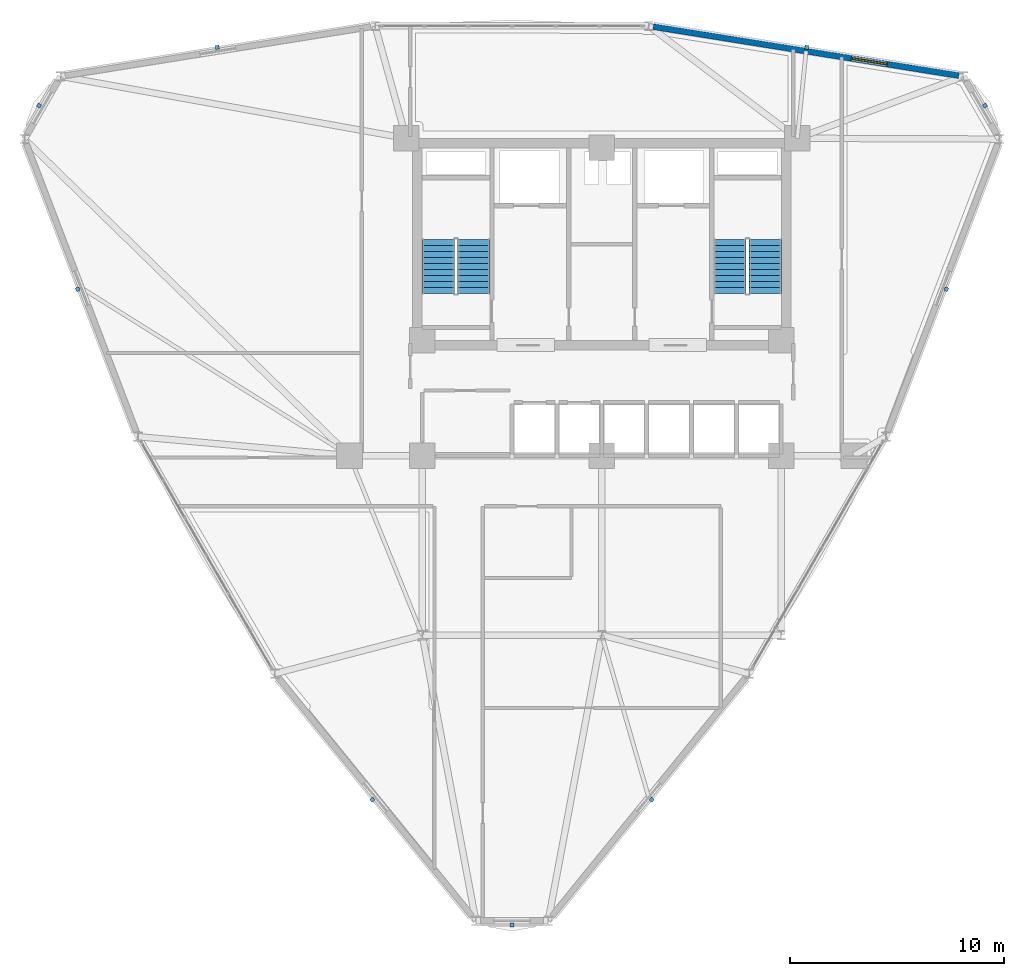
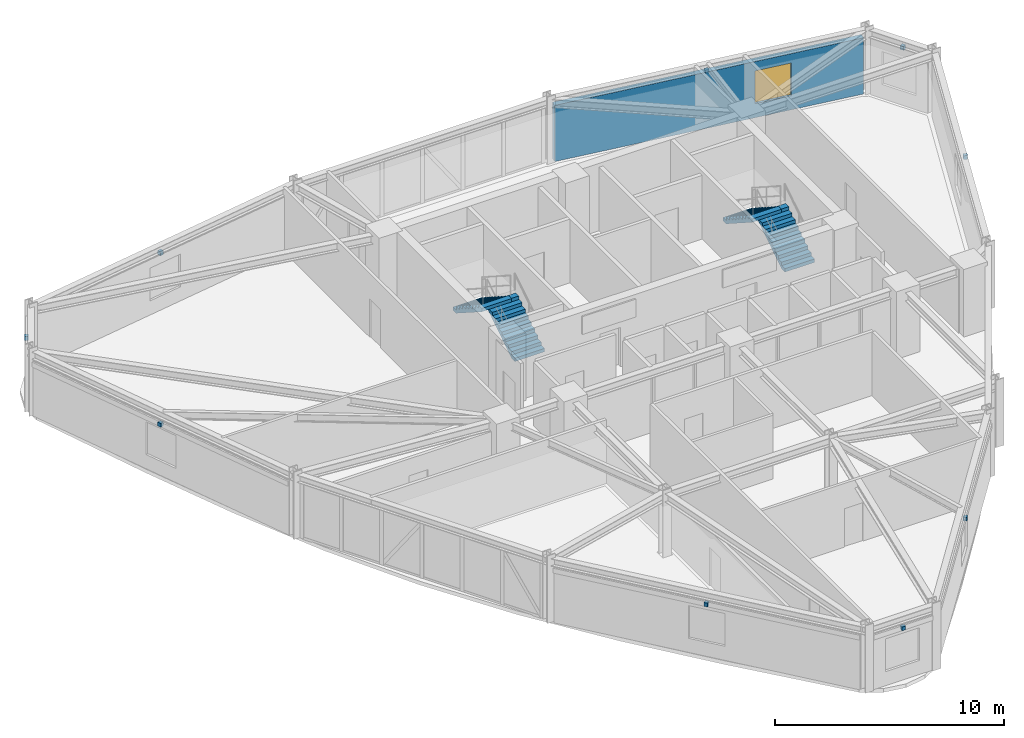
# One storey, part 12 of 15: 9 discrete accessories, 4 stair flights, 1 wall, 1 window, 1 opening, 2 elements without a shape of their own.
"""IFC4 building model written with IfcOpenShell, lengths in metres."""

from ifc_helpers import new_model, si_unit, derived_unit, direction, frame, frame_2d, origin, origin_2d, place, context, subcontext, project, spatial, polyline, rectangle, outline, extrude, source, transform, mapped, material, layer, layer_set, type_object, element, fill, aggregate, save


model = new_model("IFC4")

# Units and contexts
model_context = context("Model", 3, precision=1e-05, world=origin(), true_north=direction((0.0, 1.0)))
body_context = subcontext(model_context, "Body", "Model", "MODEL_VIEW")
ifc_project = project(units=[si_unit("LENGTHUNIT", "METRE"), si_unit("AREAUNIT", "SQUARE_METRE"), si_unit("VOLUMEUNIT", "CUBIC_METRE"), si_unit("PLANEANGLEUNIT", "RADIAN"), si_unit("MASSUNIT", "GRAM", prefix="KILO"), derived_unit("THERMALTRANSMITTANCEUNIT", [(si_unit("POWERUNIT", "WATT"), 1), (si_unit("LENGTHUNIT", "METRE"), -2), (si_unit("THERMODYNAMICTEMPERATUREUNIT", "KELVIN"), -1)])], contexts=[model_context])

# Site, building, storey
site_placement = place(None, origin())
site = spatial("IfcSite", under=ifc_project, at=site_placement, CompositionType="ELEMENT")
building_placement = place(site_placement, origin())
building = spatial("IfcBuilding", under=site, at=building_placement, Name="Korsvarv Bourse and Concert Hall", CompositionType="ELEMENT")
storey_placement = place(building_placement, frame((0.0, 0.0, 161.39990234375)))
storey = spatial("IfcBuildingStorey", under=building, at=storey_placement, Name="L41", CompositionType="ELEMENT", Elevation=161.39990234375)

# Wall, opening, window
ifc_material_1 = material(Name="Precast concrete C45/55 with fluted terracotta pier", Category="concrete")
ifc_layer = layer(ifc_material_1, 0.280029296875)
ifc_layer_set = layer_set([ifc_layer], Name="Precast concrete C45/55 with fluted terracotta pier")
wall_type = type_object("IfcWallType", Name="WL-EXT-TC2", PredefinedType="SOLIDWALL", material=ifc_layer_set)
wall_placement = place(storey_placement, frame((52.70751953125, 50.184814453125, 0.0), z_axis=(0.0, 0.0, 1.0), x_axis=(-0.98742305143, 0.158100339991, 0.0)))
wall = element("IfcWall", 1, at=wall_placement, inside=storey, type_object=wall_type, Name="L41 terracotta exterior wall EW-L41-B02", PredefinedType="SOLIDWALL", context=body_context, shape_type="SweptSolid", body=[
    extrude(rectangle(XDim=14.47705078125, YDim=0.280029296875, at=frame_2d((7.238525390625, 0.0))), origin(), (0.0, 0.0, 1.0), 3.0),
])
opening_placement = place(wall_placement, frame((3.394287109375, 0.0, 0.75)))
opening = element("IfcOpeningElement", 2, at=opening_placement, cuts=wall, Name="Opening W-01", PredefinedType="OPENING", context=body_context, shape_type="SweptSolid", body=[
    extrude(rectangle(XDim=1.699951171875, YDim=1.75, at=frame_2d((0.85009765625, 0.875))), frame((0.0, 0.14990234375, 0.0), z_axis=(0.0, -1.0, 0.0), x_axis=(1.0, 0.0, 0.0)), (0.0, 0.0, 1.0), 0.300048828125),
])
ifc_material_2 = material(Name="Thermally broken aluminium frame with triple low-E glass", Category="glass")
window_type = type_object("IfcWindowType", Name="WIN-TW1", PartitioningType="SINGLE_PANEL", PredefinedType="WINDOW", material=ifc_material_2)
window_placement = place(opening_placement, origin())
window = element("IfcWindow", 3, at=window_placement, inside=storey, type_object=window_type, Name="L41 punched facade window W-01", OverallHeight=1.75, OverallWidth=1.699951171875, PartitioningType="SINGLE_PANEL", PredefinedType="WINDOW", context=body_context, shape_type="SweptSolid", body=[
    extrude(rectangle(XDim=1.699951171875, YDim=1.75, at=frame_2d((0.85009765625, 0.875))), frame((0.0, 0.030029296875, 0.0), z_axis=(0.0, -1.0, 0.0), x_axis=(1.0, 0.0, 0.0)), (0.0, 0.0, 1.0), 0.06005859375),
])
fill(opening, window)

# Stair, stair flights
ifc_material_3 = material(Name="Precast concrete C45/55", Category="concrete")
stair_type = type_object("IfcStairType", Name="STR-TYPE-04", PredefinedType="HALF_TURN_STAIR", material=ifc_material_3)
stair_1_placement = place(storey_placement, origin())
stair_1 = element("IfcStair", 4, at=stair_1_placement, inside=storey, type_object=stair_type, Name="L41 Tower West Exit Stair ST-T1", PredefinedType="HALF_TURN_STAIR")
stair_flight_type = type_object("IfcStairFlightType", Name="FLT-TYPE-04", PredefinedType="STRAIGHT", material=ifc_material_3)
stair_flight_1_placement = place(storey_placement, frame((30.010009765625, 40.0, 0.0), z_axis=(0.0, 0.0, 1.0), x_axis=(0.0, 1.0, 0.0)))
stair_flight_1 = element("IfcStairFlight", 5, at=stair_flight_1_placement, type_object=stair_flight_type, Name="ST-T1 flight 1", NumberOfRisers=10, NumberOfTreads=9, PredefinedType="STRAIGHT", RiserHeight=0.18, TreadLength=0.28, context=body_context, shape_type="SweptSolid", body=[
    extrude(outline(polyline([(0.0, 0.0), (0.0, 0.179931640625), (0.280029296875, 0.179931640625), (0.280029296875, 0.360107421875), (0.56005859375, 0.360107421875), (0.56005859375, 0.5400390625), (0.840087890625, 0.5400390625), (0.840087890625, 0.719970703125), (1.1201171875, 0.719970703125), (1.1201171875, 0.89990234375), (1.39990234375, 0.89990234375), (1.39990234375, 1.080078125), (1.679931640625, 1.080078125), (1.679931640625, 1.260009765625), (1.9599609375, 1.260009765625), (1.9599609375, 1.43994140625), (2.239990234375, 1.43994140625), (2.239990234375, 1.6201171875), (2.52001953125, 1.6201171875), (2.52001953125, 1.800048828125), (2.52001953125, 1.44189453125), (0.277099609375, 0.0), (0.0, 0.0)])), frame((0.0, 0.75, 0.0), z_axis=(0.0, -1.0, 0.0), x_axis=(1.0, 0.0, 0.0)), (0.0, 0.0, 1.0), 1.5),
])
stair_flight_2_placement = place(storey_placement, frame((28.35009765625, 42.52001953125, 1.800048828125), z_axis=(0.0, 0.0, 1.0), x_axis=(0.0, -1.0, 0.0)))
stair_flight_2 = element("IfcStairFlight", 6, at=stair_flight_2_placement, type_object=stair_flight_type, Name="ST-T1 flight 2", NumberOfRisers=10, NumberOfTreads=9, PredefinedType="STRAIGHT", RiserHeight=0.18, TreadLength=0.28, context=body_context, shape_type="SweptSolid", body=[
    extrude(outline(polyline([(0.0, 0.0), (0.0, 0.179931640625), (0.280029296875, 0.179931640625), (0.280029296875, 0.360107421875), (0.56005859375, 0.360107421875), (0.56005859375, 0.5400390625), (0.840087890625, 0.5400390625), (0.840087890625, 0.719970703125), (1.1201171875, 0.719970703125), (1.1201171875, 0.89990234375), (1.39990234375, 0.89990234375), (1.39990234375, 1.080078125), (1.679931640625, 1.080078125), (1.679931640625, 1.260009765625), (1.9599609375, 1.260009765625), (1.9599609375, 1.43994140625), (2.239990234375, 1.43994140625), (2.239990234375, 1.6201171875), (2.52001953125, 1.6201171875), (2.52001953125, 1.800048828125), (2.52001953125, 1.44189453125), (0.277099609375, 0.0), (0.0, 0.0)])), frame((0.0, 0.75, 0.0), z_axis=(0.0, -1.0, 0.0), x_axis=(1.0, 0.0, 0.0)), (0.0, 0.0, 1.0), 1.5),
])
aggregate(stair_1, [stair_flight_1, stair_flight_2])

stair_2_placement = place(storey_placement, origin())
stair_2 = element("IfcStair", 7, at=stair_2_placement, inside=storey, type_object=stair_type, Name="L41 Tower East Exit Stair ST-T2", PredefinedType="HALF_TURN_STAIR")
stair_flight_3_placement = place(storey_placement, frame((43.64990234375, 40.0, 0.0), z_axis=(0.0, 0.0, 1.0), x_axis=(0.0, 1.0, 0.0)))
stair_flight_3 = element("IfcStairFlight", 8, at=stair_flight_3_placement, type_object=stair_flight_type, Name="ST-T2 flight 1", NumberOfRisers=10, NumberOfTreads=9, PredefinedType="STRAIGHT", RiserHeight=0.18, TreadLength=0.28, context=body_context, shape_type="SweptSolid", body=[
    extrude(outline(polyline([(0.0, 0.0), (0.0, 0.179931640625), (0.280029296875, 0.179931640625), (0.280029296875, 0.360107421875), (0.56005859375, 0.360107421875), (0.56005859375, 0.5400390625), (0.840087890625, 0.5400390625), (0.840087890625, 0.719970703125), (1.1201171875, 0.719970703125), (1.1201171875, 0.89990234375), (1.39990234375, 0.89990234375), (1.39990234375, 1.080078125), (1.679931640625, 1.080078125), (1.679931640625, 1.260009765625), (1.9599609375, 1.260009765625), (1.9599609375, 1.43994140625), (2.239990234375, 1.43994140625), (2.239990234375, 1.6201171875), (2.52001953125, 1.6201171875), (2.52001953125, 1.800048828125), (2.52001953125, 1.44189453125), (0.277099609375, 0.0), (0.0, 0.0)])), frame((0.0, 0.75, 0.0), z_axis=(0.0, -1.0, 0.0), x_axis=(1.0, 0.0, 0.0)), (0.0, 0.0, 1.0), 1.5),
])
stair_flight_4_placement = place(storey_placement, frame((41.989990234375, 42.52001953125, 1.800048828125), z_axis=(0.0, 0.0, 1.0), x_axis=(0.0, -1.0, 0.0)))
stair_flight_4 = element("IfcStairFlight", 9, at=stair_flight_4_placement, type_object=stair_flight_type, Name="ST-T2 flight 2", NumberOfRisers=10, NumberOfTreads=9, PredefinedType="STRAIGHT", RiserHeight=0.18, TreadLength=0.28, context=body_context, shape_type="SweptSolid", body=[
    extrude(outline(polyline([(0.0, 0.0), (0.0, 0.179931640625), (0.280029296875, 0.179931640625), (0.280029296875, 0.360107421875), (0.56005859375, 0.360107421875), (0.56005859375, 0.5400390625), (0.840087890625, 0.5400390625), (0.840087890625, 0.719970703125), (1.1201171875, 0.719970703125), (1.1201171875, 0.89990234375), (1.39990234375, 0.89990234375), (1.39990234375, 1.080078125), (1.679931640625, 1.080078125), (1.679931640625, 1.260009765625), (1.9599609375, 1.260009765625), (1.9599609375, 1.43994140625), (2.239990234375, 1.43994140625), (2.239990234375, 1.6201171875), (2.52001953125, 1.6201171875), (2.52001953125, 1.800048828125), (2.52001953125, 1.44189453125), (0.277099609375, 0.0), (0.0, 0.0)])), frame((0.0, 0.75, 0.0), z_axis=(0.0, -1.0, 0.0), x_axis=(1.0, 0.0, 0.0)), (0.0, 0.0, 1.0), 1.5),
])
aggregate(stair_2, [stair_flight_3, stair_flight_4])

# Discrete accessories
ifc_material_4 = material(Name="Stainless Steel S355 facade outrigger bracket", Category="steel")
discrete_accessory_type = type_object("IfcDiscreteAccessoryType", Name="ACC-BRK-1", PredefinedType="BRACKET", material=ifc_material_4)
shared_shape = source(origin(), body_context, "Body", "SweptSolid", [
    extrude(rectangle(XDim=0.179931640625, YDim=0.179931640625, at=origin_2d()), origin(), (0.0, 0.0, 1.0), 0.199951171875),
])
for number, where, z_axis, x_axis, name in (
    (10, (53.930908203125, 48.77734375, 2.740234375), (0.0, 0.0, 1.0), (-0.5, 0.866025403784, 0.0), "L41 terracotta sunshade bracket EW-L41-B01"),
    (11, (45.58837890625, 51.5068359375, 2.740234375), (0.0, 0.0, 1.0), (-0.987413806751, 0.158158067254, 0.0), "L41 terracotta sunshade bracket EW-L41-B02"),
    (12, (18.011474609375, 51.5068359375, 2.68994140625), (0.0, 0.0, 1.0), (-0.987413806751, -0.158158067254, 0.0), "L41 terracotta sunshade bracket EW-L41-B04"),
    (13, (9.6689453125, 48.77734375, 2.740234375), (0.0, 0.0, 1.0), (-0.5, -0.866025403784, 0.0), "L41 terracotta sunshade bracket EW-L41-B05"),
    (14, (11.476318359375, 40.187744140625, 2.68994140625), (0.0, 0.0, 1.0), (0.35673799932, -0.934204474321, 0.0), "L41 terracotta sunshade bracket EW-L41-B06"),
    (15, (25.264892578125, 16.305419921875, 2.740234375), (0.0, 0.0, 1.0), (0.630675807431, -0.776046407067, 0.0), "L41 terracotta sunshade bracket EW-L41-B08"),
    (16, (31.800048828125, 10.4453125, 2.740234375), (0.0, 0.0, 1.0), (1.0, 0.0, 0.0), "L41 terracotta sunshade bracket EW-L41-B09"),
    (17, (38.335205078125, 16.305419921875, 2.740234375), (0.0, 0.0, 1.0), (0.630675807431, 0.776046407067, 0.0), "L41 terracotta sunshade bracket EW-L41-B10"),
    (18, (52.123779296875, 40.187744140625, 2.740234375), (0.0, 0.0, 1.0), (0.35673799932, 0.934204474321, 0.0), "L41 terracotta sunshade bracket EW-L41-B12"),
):
    element("IfcDiscreteAccessory", number, at=place(storey_placement, frame(where, z_axis=z_axis, x_axis=x_axis)), inside=storey, type_object=discrete_accessory_type, Name=name, PredefinedType="BRACKET", context=body_context, shape_type="MappedRepresentation", body=[
        mapped(shared_shape, transform((0.0, 0.0, 0.0), scale=1.0)),
    ])

save(model, "model.ifc")
